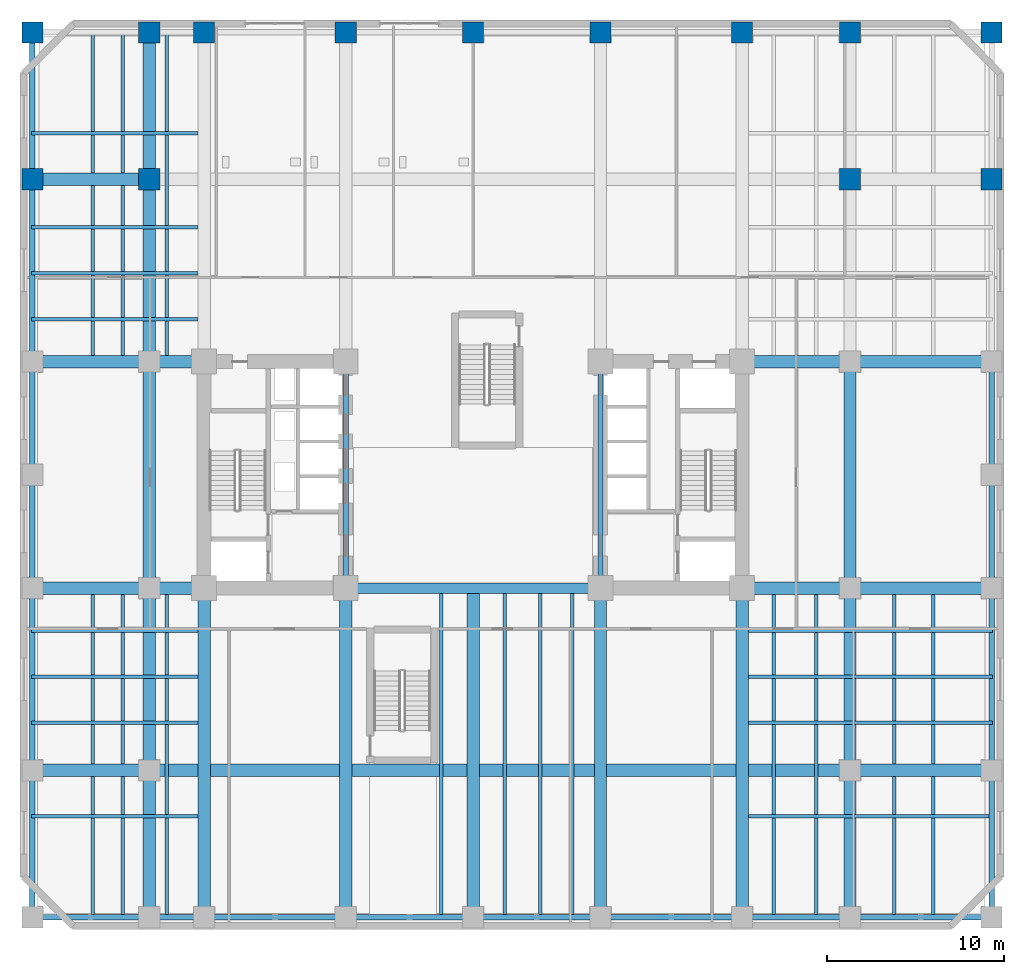
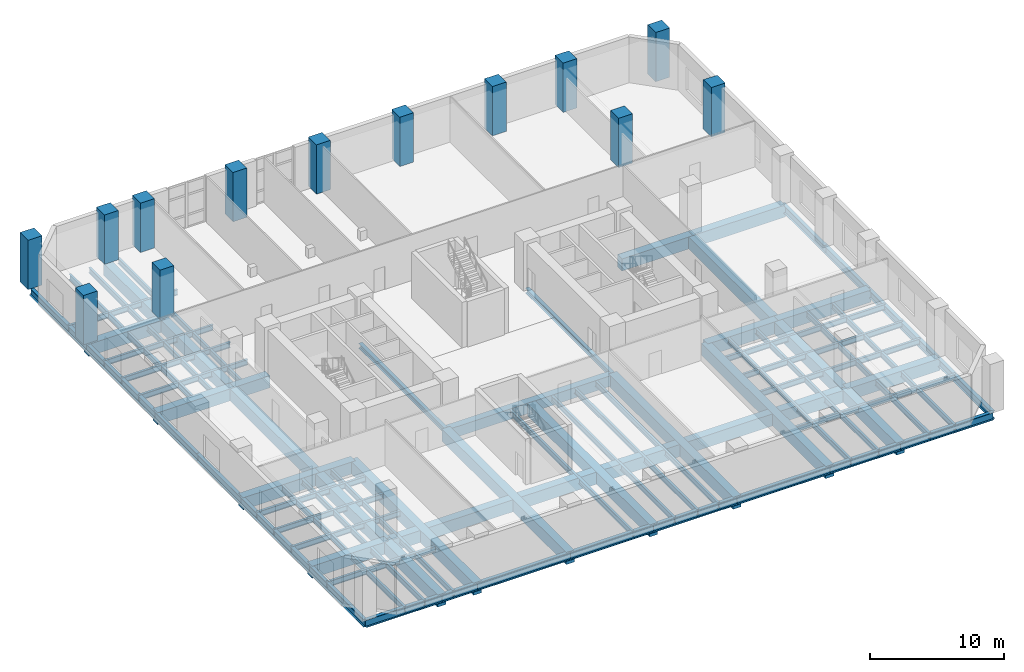
# One storey, part 3 of 15: 72 beams, 13 columns.
"""IFC4 building model written with IfcOpenShell, lengths in metres."""

from ifc_helpers import new_model, si_unit, direction, frame, origin, origin_2d, place, context, subcontext, project, spatial, rectangle, i_section, extrude, material, material_profile, profile_set, type_object, element, save


model = new_model("IFC4")

# Units and contexts
model_context = context("Model", 3, precision=1e-05, world=origin(), true_north=direction((0.0, 1.0)))
body_context = subcontext(model_context, "Body", "Model", "MODEL_VIEW")
ifc_project = project(units=[si_unit("LENGTHUNIT", "METRE"), si_unit("AREAUNIT", "SQUARE_METRE"), si_unit("VOLUMEUNIT", "CUBIC_METRE"), si_unit("PLANEANGLEUNIT", "RADIAN"), si_unit("MASSUNIT", "GRAM", prefix="KILO")], contexts=[model_context])

# Site, building, storey
site_placement = place(None, origin())
site = spatial("IfcSite", under=ifc_project, at=site_placement, CompositionType="ELEMENT")
building_placement = place(site_placement, origin())
building = spatial("IfcBuilding", under=site, at=building_placement, Name="Kranthara Brick Stack", CompositionType="ELEMENT")
storey_placement = place(building_placement, frame((0.0, 0.0, 9.89990234375)))
storey = spatial("IfcBuildingStorey", under=building, at=storey_placement, Name="L02", CompositionType="ELEMENT", Elevation=9.89990234375)

# Columns
ifc_material_1 = material(Name="Concrete C70/85", Category="concrete")
ifc_material_profile_1 = material_profile(ifc_material_1, rectangle(XDim=1.199951171875, YDim=1.199951171875, at=origin_2d()), Name="RC 1200x1200")
ifc_profile_set_1 = profile_set([ifc_material_profile_1], Name="Concrete C70/85")
column_type = type_object("IfcColumnType", Name="COL-RC-1200", PredefinedType="COLUMN", material=ifc_profile_set_1)
for number, where, z_axis, x_axis, name in (
    (1, (3.10009765625, 52.199951171875, 0.0), (0.0, 0.0, 1.0), (1.0, 0.0, 0.0), "L02 Column 10"),
    (2, (9.699951171875, 52.199951171875, 0.0), (0.0, 0.0, 1.0), (1.0, 0.0, 0.0), "L02 Column 12"),
    (3, (12.800048828125, 52.199951171875, 0.0), (0.0, 0.0, 1.0), (1.0, 0.0, 0.0), "L02 Column 14"),
    (4, (20.800048828125, 52.199951171875, 0.0), (0.0, 0.0, 1.0), (1.0, 0.0, 0.0), "L02 Column 16"),
    (5, (28.0, 52.199951171875, 0.0), (0.0, 0.0, 1.0), (1.0, 0.0, 0.0), "L02 Column 18"),
    (6, (35.199951171875, 52.199951171875, 0.0), (0.0, 0.0, 1.0), (1.0, 0.0, 0.0), "L02 Column 20"),
    (7, (43.199951171875, 52.199951171875, 0.0), (0.0, 0.0, 1.0), (1.0, 0.0, 0.0), "L02 Column 22"),
    (8, (49.300048828125, 52.199951171875, 0.0), (0.0, 0.0, 1.0), (1.0, 0.0, 0.0), "L02 Column 24"),
    (9, (57.300048828125, 52.199951171875, 0.0), (0.0, 0.0, 1.0), (1.0, 0.0, 0.0), "L02 Column 26"),
    (10, (3.10009765625, 43.89990234375, 0.0), (0.0, 0.0, 1.0), (1.0, 0.0, 0.0), "L02 Column 35"),
    (11, (57.300048828125, 43.89990234375, 0.0), (0.0, 0.0, 1.0), (1.0, 0.0, 0.0), "L02 Column 36"),
    (12, (9.699951171875, 43.89990234375, 0.0), (0.0, 0.0, 1.0), (1.0, 0.0, 0.0), "L02 Column 40"),
    (13, (49.300048828125, 43.89990234375, 0.0), (0.0, 0.0, 1.0), (1.0, 0.0, 0.0), "L02 Column 44"),
):
    element("IfcColumn", number, at=place(storey_placement, frame(where, z_axis=z_axis, x_axis=x_axis)), inside=storey, type_object=column_type, Name=name, PredefinedType="COLUMN", context=body_context, shape_type="SweptSolid", body=[
        extrude(rectangle(XDim=1.199951171875, YDim=1.199951171875, at=origin_2d()), origin(), (0.0, 0.0, 1.0), 4.5),
    ])

# Beams
ifc_material_2 = material(Name="Concrete C60/75", Category="concrete")
ifc_material_profile_2 = material_profile(ifc_material_2, rectangle(XDim=0.60009765625, YDim=0.949951171875, at=origin_2d()), Name="RC 600x950")
ifc_profile_set_2 = profile_set([ifc_material_profile_2], Name="Concrete C60/75")
beam_type_1 = type_object("IfcBeamType", Name="BM-CPL-RC950", PredefinedType="LINTEL", material=ifc_profile_set_2)
beam_1_placement = place(storey_placement, frame((20.800048828125, 20.800048828125, -0.794921875), z_axis=(1.0, 0.0, 0.0), x_axis=(0.0, 1.0, 0.0)))
element("IfcBeam", 14, at=beam_1_placement, inside=storey, type_object=beam_type_1, Name="L02 Core Coupling Beam 001", PredefinedType="LINTEL", context=body_context, shape_type="SweptSolid", body=[
    extrude(rectangle(XDim=0.60009765625, YDim=0.949951171875, at=origin_2d()), origin(), (0.0, 0.0, 1.0), 14.39990234375),
])
ifc_material_3 = material(Name="Steel S355", Category="steel")
ifc_material_profile_3 = material_profile(ifc_material_3, i_section(OverallWidth=0.199951171875, OverallDepth=0.5, WebThickness=0.01025390625, FlangeThickness=0.01611328125, at=origin_2d()), Name="IPE 500")
ifc_profile_set_3 = profile_set([ifc_material_profile_3], Name="Steel S355")
beam_type_2 = type_object("IfcBeamType", Name="BM-JST-IPE500", PredefinedType="JOIST", material=ifc_profile_set_3)
for number, where, z_axis, x_axis, name in (
    (15, (6.5, 2.14990234375, -0.56982421875), (0.0, 1.0, 0.0), (-1.0, 0.0, 0.0), "L02 South Wing Floor Joist 065"),
    (16, (6.5, 33.949951171875, -0.56982421875), (0.0, 1.0, 0.0), (-1.0, 0.0, 0.0), "L02 North Wing Floor Joist 066"),
    (17, (8.199951171875, 2.14990234375, -0.56982421875), (0.0, 1.0, 0.0), (-1.0, 0.0, 0.0), "L02 South Wing Floor Joist 067"),
    (18, (8.199951171875, 33.949951171875, -0.56982421875), (0.0, 1.0, 0.0), (-1.0, 0.0, 0.0), "L02 North Wing Floor Joist 068"),
    (19, (10.699951171875, 2.14990234375, -0.56982421875), (0.0, 1.0, 0.0), (-1.0, 0.0, 0.0), "L02 South Wing Floor Joist 069"),
    (20, (10.699951171875, 33.949951171875, -0.56982421875), (0.0, 1.0, 0.0), (-1.0, 0.0, 0.0), "L02 North Wing Floor Joist 070"),
):
    element("IfcBeam", number, at=place(storey_placement, frame(where, z_axis=z_axis, x_axis=x_axis)), inside=storey, type_object=beam_type_2, Name=name, PredefinedType="JOIST", context=body_context, shape_type="SweptSolid", body=[
        extrude(i_section(OverallWidth=0.199951171875, OverallDepth=0.5, WebThickness=0.01025390625, FlangeThickness=0.01611328125, at=origin_2d()), origin(), (0.0, 0.0, 1.0), 18.300048828125),
    ])
for number, where, z_axis, x_axis, name in (
    (21, (26.199951171875, 2.14990234375, -0.56982421875), (0.0, 1.0, 0.0), (-1.0, 0.0, 0.0), "L02 South Wing Floor Joist 071"),
    (22, (29.800048828125, 2.14990234375, -0.56982421875), (0.0, 1.0, 0.0), (-1.0, 0.0, 0.0), "L02 South Wing Floor Joist 072"),
    (23, (31.800048828125, 2.14990234375, -0.56982421875), (0.0, 1.0, 0.0), (-1.0, 0.0, 0.0), "L02 South Wing Floor Joist 073"),
    (24, (33.60009765625, 2.14990234375, -0.56982421875), (0.0, 1.0, 0.0), (-1.0, 0.0, 0.0), "L02 South Wing Floor Joist 074"),
):
    element("IfcBeam", number, at=place(storey_placement, frame(where, z_axis=z_axis, x_axis=x_axis)), inside=storey, type_object=beam_type_2, Name=name, PredefinedType="JOIST", context=body_context, shape_type="SweptSolid", body=[
        extrude(i_section(OverallWidth=0.199951171875, OverallDepth=0.5, WebThickness=0.01025390625, FlangeThickness=0.01611328125, at=origin_2d()), origin(), (0.0, 0.0, 1.0), 18.35009765625),
    ])
for number, where, z_axis, x_axis, name in (
    (25, (45.0, 2.14990234375, -0.56982421875), (0.0, 1.0, 0.0), (-1.0, 0.0, 0.0), "L02 South Wing Floor Joist 075"),
    (26, (47.39990234375, 2.14990234375, -0.56982421875), (0.0, 1.0, 0.0), (-1.0, 0.0, 0.0), "L02 South Wing Floor Joist 077"),
    (27, (51.800048828125, 2.14990234375, -0.56982421875), (0.0, 1.0, 0.0), (-1.0, 0.0, 0.0), "L02 South Wing Floor Joist 079"),
    (28, (54.0, 2.14990234375, -0.56982421875), (0.0, 1.0, 0.0), (-1.0, 0.0, 0.0), "L02 South Wing Floor Joist 081"),
):
    element("IfcBeam", number, at=place(storey_placement, frame(where, z_axis=z_axis, x_axis=x_axis)), inside=storey, type_object=beam_type_2, Name=name, PredefinedType="JOIST", context=body_context, shape_type="SweptSolid", body=[
        extrude(i_section(OverallWidth=0.199951171875, OverallDepth=0.5, WebThickness=0.01025390625, FlangeThickness=0.01611328125, at=origin_2d()), origin(), (0.0, 0.0, 1.0), 18.300048828125),
    ])
beam_2_placement = place(storey_placement, frame((3.050048828125, 7.89990234375, -0.56982421875), z_axis=(1.0, 0.0, 0.0), x_axis=(0.0, 1.0, 0.0)))
element("IfcBeam", 29, at=beam_2_placement, inside=storey, type_object=beam_type_2, Name="L02 West Wing Floor Joist 083", PredefinedType="JOIST", context=body_context, shape_type="SweptSolid", body=[
    extrude(i_section(OverallWidth=0.199951171875, OverallDepth=0.5, WebThickness=0.01025390625, FlangeThickness=0.01611328125, at=origin_2d()), origin(), (0.0, 0.0, 1.0), 9.39990234375),
])
beam_3_placement = place(storey_placement, frame((43.550048828125, 7.89990234375, -0.56982421875), z_axis=(1.0, 0.0, 0.0), x_axis=(0.0, 1.0, 0.0)))
element("IfcBeam", 30, at=beam_3_placement, inside=storey, type_object=beam_type_2, Name="L02 East Wing Floor Joist 084", PredefinedType="JOIST", context=body_context, shape_type="SweptSolid", body=[
    extrude(i_section(OverallWidth=0.199951171875, OverallDepth=0.5, WebThickness=0.01025390625, FlangeThickness=0.01611328125, at=origin_2d()), origin(), (0.0, 0.0, 1.0), 13.800048828125),
])
beam_4_placement = place(storey_placement, frame((3.050048828125, 13.199951171875, -0.56982421875), z_axis=(1.0, 0.0, 0.0), x_axis=(0.0, 1.0, 0.0)))
element("IfcBeam", 31, at=beam_4_placement, inside=storey, type_object=beam_type_2, Name="L02 West Wing Floor Joist 085", PredefinedType="JOIST", context=body_context, shape_type="SweptSolid", body=[
    extrude(i_section(OverallWidth=0.199951171875, OverallDepth=0.5, WebThickness=0.01025390625, FlangeThickness=0.01611328125, at=origin_2d()), origin(), (0.0, 0.0, 1.0), 9.39990234375),
])
beam_5_placement = place(storey_placement, frame((43.550048828125, 13.199951171875, -0.56982421875), z_axis=(1.0, 0.0, 0.0), x_axis=(0.0, 1.0, 0.0)))
element("IfcBeam", 32, at=beam_5_placement, inside=storey, type_object=beam_type_2, Name="L02 East Wing Floor Joist 086", PredefinedType="JOIST", context=body_context, shape_type="SweptSolid", body=[
    extrude(i_section(OverallWidth=0.199951171875, OverallDepth=0.5, WebThickness=0.01025390625, FlangeThickness=0.01611328125, at=origin_2d()), origin(), (0.0, 0.0, 1.0), 13.800048828125),
])
beam_6_placement = place(storey_placement, frame((3.050048828125, 15.800048828125, -0.56982421875), z_axis=(1.0, 0.0, 0.0), x_axis=(0.0, 1.0, 0.0)))
element("IfcBeam", 33, at=beam_6_placement, inside=storey, type_object=beam_type_2, Name="L02 West Wing Floor Joist 087", PredefinedType="JOIST", context=body_context, shape_type="SweptSolid", body=[
    extrude(i_section(OverallWidth=0.199951171875, OverallDepth=0.5, WebThickness=0.01025390625, FlangeThickness=0.01611328125, at=origin_2d()), origin(), (0.0, 0.0, 1.0), 9.39990234375),
])
beam_7_placement = place(storey_placement, frame((43.550048828125, 15.800048828125, -0.56982421875), z_axis=(1.0, 0.0, 0.0), x_axis=(0.0, 1.0, 0.0)))
element("IfcBeam", 34, at=beam_7_placement, inside=storey, type_object=beam_type_2, Name="L02 East Wing Floor Joist 088", PredefinedType="JOIST", context=body_context, shape_type="SweptSolid", body=[
    extrude(i_section(OverallWidth=0.199951171875, OverallDepth=0.5, WebThickness=0.01025390625, FlangeThickness=0.01611328125, at=origin_2d()), origin(), (0.0, 0.0, 1.0), 13.800048828125),
])
beam_8_placement = place(storey_placement, frame((3.050048828125, 18.39990234375, -0.56982421875), z_axis=(1.0, 0.0, 0.0), x_axis=(0.0, 1.0, 0.0)))
element("IfcBeam", 35, at=beam_8_placement, inside=storey, type_object=beam_type_2, Name="L02 West Wing Floor Joist 089", PredefinedType="JOIST", context=body_context, shape_type="SweptSolid", body=[
    extrude(i_section(OverallWidth=0.199951171875, OverallDepth=0.5, WebThickness=0.01025390625, FlangeThickness=0.01611328125, at=origin_2d()), origin(), (0.0, 0.0, 1.0), 9.39990234375),
])
beam_9_placement = place(storey_placement, frame((43.550048828125, 18.39990234375, -0.56982421875), z_axis=(1.0, 0.0, 0.0), x_axis=(0.0, 1.0, 0.0)))
element("IfcBeam", 36, at=beam_9_placement, inside=storey, type_object=beam_type_2, Name="L02 East Wing Floor Joist 090", PredefinedType="JOIST", context=body_context, shape_type="SweptSolid", body=[
    extrude(i_section(OverallWidth=0.199951171875, OverallDepth=0.5, WebThickness=0.01025390625, FlangeThickness=0.01611328125, at=origin_2d()), origin(), (0.0, 0.0, 1.0), 13.800048828125),
])
for number, where, z_axis, x_axis, name in (
    (37, (3.050048828125, 36.0, -0.56982421875), (1.0, 0.0, 0.0), (0.0, 1.0, 0.0), "L02 West Wing Floor Joist 091"),
    (38, (3.050048828125, 38.60009765625, -0.56982421875), (1.0, 0.0, 0.0), (0.0, 1.0, 0.0), "L02 West Wing Floor Joist 093"),
    (39, (3.050048828125, 41.199951171875, -0.56982421875), (1.0, 0.0, 0.0), (0.0, 1.0, 0.0), "L02 West Wing Floor Joist 095"),
    (40, (3.050048828125, 46.5, -0.56982421875), (1.0, 0.0, 0.0), (0.0, 1.0, 0.0), "L02 West Wing Floor Joist 097"),
):
    element("IfcBeam", number, at=place(storey_placement, frame(where, z_axis=z_axis, x_axis=x_axis)), inside=storey, type_object=beam_type_2, Name=name, PredefinedType="JOIST", context=body_context, shape_type="SweptSolid", body=[
        extrude(i_section(OverallWidth=0.199951171875, OverallDepth=0.5, WebThickness=0.01025390625, FlangeThickness=0.01611328125, at=origin_2d()), origin(), (0.0, 0.0, 1.0), 9.39990234375),
    ])
ifc_material_4 = material(Name="Post-tensioned concrete C45/55", Category="concrete")
ifc_material_profile_4 = material_profile(ifc_material_4, rectangle(XDim=0.699951171875, YDim=1.10009765625, at=origin_2d()), Name="PT 700x1100")
ifc_profile_set_4 = profile_set([ifc_material_profile_4], Name="Post-tensioned concrete C45/55")
beam_type_3 = type_object("IfcBeamType", Name="BM-POD-PT1100", PredefinedType="BEAM", material=ifc_profile_set_4)
beam_10_placement = place(storey_placement, frame((9.699951171875, 2.199951171875, -0.869873046875), z_axis=(0.0, 1.0, 0.0), x_axis=(-1.0, 0.0, 0.0)))
element("IfcBeam", 41, at=beam_10_placement, inside=storey, type_object=beam_type_3, Name="L02 Primary Grid Girder 032", PredefinedType="BEAM", context=body_context, shape_type="SweptSolid", body=[
    extrude(rectangle(XDim=0.699951171875, YDim=1.10009765625, at=origin_2d()), origin(), (0.0, 0.0, 1.0), 8.300048828125),
])
beam_11_placement = place(storey_placement, frame((9.699951171875, 10.5, -0.869873046875), z_axis=(0.0, 1.0, 0.0), x_axis=(-1.0, 0.0, 0.0)))
element("IfcBeam", 42, at=beam_11_placement, inside=storey, type_object=beam_type_3, Name="L02 Primary Grid Girder 033", PredefinedType="BEAM", context=body_context, shape_type="SweptSolid", body=[
    extrude(rectangle(XDim=0.699951171875, YDim=1.10009765625, at=origin_2d()), origin(), (0.0, 0.0, 1.0), 10.300048828125),
])
beam_12_placement = place(storey_placement, frame((9.699951171875, 20.800048828125, -0.869873046875), z_axis=(0.0, 1.0, 0.0), x_axis=(-1.0, 0.0, 0.0)))
element("IfcBeam", 43, at=beam_12_placement, inside=storey, type_object=beam_type_3, Name="L02 Primary Grid Girder 034", PredefinedType="BEAM", context=body_context, shape_type="SweptSolid", body=[
    extrude(rectangle(XDim=0.699951171875, YDim=1.10009765625, at=origin_2d()), origin(), (0.0, 0.0, 1.0), 12.800048828125),
])
beam_13_placement = place(storey_placement, frame((9.699951171875, 33.60009765625, -0.869873046875), z_axis=(0.0, 1.0, 0.0), x_axis=(-1.0, 0.0, 0.0)))
element("IfcBeam", 44, at=beam_13_placement, inside=storey, type_object=beam_type_3, Name="L02 Primary Grid Girder 035", PredefinedType="BEAM", context=body_context, shape_type="SweptSolid", body=[
    extrude(rectangle(XDim=0.699951171875, YDim=1.10009765625, at=origin_2d()), origin(), (0.0, 0.0, 1.0), 10.2998046875),
])
beam_14_placement = place(storey_placement, frame((9.699951171875, 43.89990234375, -0.869873046875), z_axis=(0.0, 1.0, 0.0), x_axis=(-1.0, 0.0, 0.0)))
element("IfcBeam", 45, at=beam_14_placement, inside=storey, type_object=beam_type_3, Name="L02 Primary Grid Girder 036", PredefinedType="BEAM", context=body_context, shape_type="SweptSolid", body=[
    extrude(rectangle(XDim=0.699951171875, YDim=1.10009765625, at=origin_2d()), origin(), (0.0, 0.0, 1.0), 8.300048828125),
])
for number, where, z_axis, x_axis, name in (
    (46, (12.800048828125, 2.199951171875, -0.869873046875), (0.0, 1.0, 0.0), (-1.0, 0.0, 0.0), "L02 Primary Grid Girder 037"),
    (47, (20.800048828125, 2.199951171875, -0.869873046875), (0.0, 1.0, 0.0), (-1.0, 0.0, 0.0), "L02 Primary Grid Girder 039"),
):
    element("IfcBeam", number, at=place(storey_placement, frame(where, z_axis=z_axis, x_axis=x_axis)), inside=storey, type_object=beam_type_3, Name=name, PredefinedType="BEAM", context=body_context, shape_type="SweptSolid", body=[
        extrude(rectangle(XDim=0.699951171875, YDim=1.10009765625, at=origin_2d()), origin(), (0.0, 0.0, 1.0), 18.60009765625),
    ])
beam_15_placement = place(storey_placement, frame((28.0, 2.199951171875, -0.869873046875), z_axis=(0.0, 1.0, 0.0), x_axis=(-1.0, 0.0, 0.0)))
element("IfcBeam", 48, at=beam_15_placement, inside=storey, type_object=beam_type_3, Name="L02 Primary Grid Girder 041", PredefinedType="BEAM", context=body_context, shape_type="SweptSolid", body=[
    extrude(rectangle(XDim=0.699951171875, YDim=1.10009765625, at=origin_2d()), origin(), (0.0, 0.0, 1.0), 18.300048828125),
])
for number, where, z_axis, x_axis, name in (
    (49, (35.199951171875, 2.199951171875, -0.869873046875), (0.0, 1.0, 0.0), (-1.0, 0.0, 0.0), "L02 Primary Grid Girder 042"),
    (50, (43.199951171875, 2.199951171875, -0.869873046875), (0.0, 1.0, 0.0), (-1.0, 0.0, 0.0), "L02 Primary Grid Girder 044"),
):
    element("IfcBeam", number, at=place(storey_placement, frame(where, z_axis=z_axis, x_axis=x_axis)), inside=storey, type_object=beam_type_3, Name=name, PredefinedType="BEAM", context=body_context, shape_type="SweptSolid", body=[
        extrude(rectangle(XDim=0.699951171875, YDim=1.10009765625, at=origin_2d()), origin(), (0.0, 0.0, 1.0), 18.60009765625),
    ])
beam_16_placement = place(storey_placement, frame((49.300048828125, 2.199951171875, -0.869873046875), z_axis=(0.0, 1.0, 0.0), x_axis=(-1.0, 0.0, 0.0)))
element("IfcBeam", 51, at=beam_16_placement, inside=storey, type_object=beam_type_3, Name="L02 Primary Grid Girder 046", PredefinedType="BEAM", context=body_context, shape_type="SweptSolid", body=[
    extrude(rectangle(XDim=0.699951171875, YDim=1.10009765625, at=origin_2d()), origin(), (0.0, 0.0, 1.0), 8.300048828125),
])
beam_17_placement = place(storey_placement, frame((49.300048828125, 10.5, -0.869873046875), z_axis=(0.0, 1.0, 0.0), x_axis=(-1.0, 0.0, 0.0)))
element("IfcBeam", 52, at=beam_17_placement, inside=storey, type_object=beam_type_3, Name="L02 Primary Grid Girder 047", PredefinedType="BEAM", context=body_context, shape_type="SweptSolid", body=[
    extrude(rectangle(XDim=0.699951171875, YDim=1.10009765625, at=origin_2d()), origin(), (0.0, 0.0, 1.0), 10.300048828125),
])
beam_18_placement = place(storey_placement, frame((49.300048828125, 20.800048828125, -0.869873046875), z_axis=(0.0, 1.0, 0.0), x_axis=(-1.0, 0.0, 0.0)))
element("IfcBeam", 53, at=beam_18_placement, inside=storey, type_object=beam_type_3, Name="L02 Primary Grid Girder 048", PredefinedType="BEAM", context=body_context, shape_type="SweptSolid", body=[
    extrude(rectangle(XDim=0.699951171875, YDim=1.10009765625, at=origin_2d()), origin(), (0.0, 0.0, 1.0), 12.800048828125),
])
beam_19_placement = place(storey_placement, frame((3.10009765625, 10.5, -0.869873046875), z_axis=(1.0, 0.0, 0.0), x_axis=(0.0, 1.0, 0.0)))
element("IfcBeam", 54, at=beam_19_placement, inside=storey, type_object=beam_type_3, Name="L02 Primary Grid Girder 051", PredefinedType="BEAM", context=body_context, shape_type="SweptSolid", body=[
    extrude(rectangle(XDim=0.699951171875, YDim=1.10009765625, at=origin_2d()), origin(), (0.0, 0.0, 1.0), 6.599853515625),
])
beam_20_placement = place(storey_placement, frame((9.699951171875, 10.5, -0.869873046875), z_axis=(1.0, 0.0, 0.0), x_axis=(0.0, 1.0, 0.0)))
element("IfcBeam", 55, at=beam_20_placement, inside=storey, type_object=beam_type_3, Name="L02 Primary Grid Girder 052", PredefinedType="BEAM", context=body_context, shape_type="SweptSolid", body=[
    extrude(rectangle(XDim=0.699951171875, YDim=1.10009765625, at=origin_2d()), origin(), (0.0, 0.0, 1.0), 39.60009765625),
])
beam_21_placement = place(storey_placement, frame((49.300048828125, 10.5, -0.869873046875), z_axis=(1.0, 0.0, 0.0), x_axis=(0.0, 1.0, 0.0)))
element("IfcBeam", 56, at=beam_21_placement, inside=storey, type_object=beam_type_3, Name="L02 Primary Grid Girder 053", PredefinedType="BEAM", context=body_context, shape_type="SweptSolid", body=[
    extrude(rectangle(XDim=0.699951171875, YDim=1.10009765625, at=origin_2d()), origin(), (0.0, 0.0, 1.0), 8.0),
])
beam_22_placement = place(storey_placement, frame((3.10009765625, 20.800048828125, -0.869873046875), z_axis=(1.0, 0.0, 0.0), x_axis=(0.0, 1.0, 0.0)))
element("IfcBeam", 57, at=beam_22_placement, inside=storey, type_object=beam_type_3, Name="L02 Primary Grid Girder 054", PredefinedType="BEAM", context=body_context, shape_type="SweptSolid", body=[
    extrude(rectangle(XDim=0.699951171875, YDim=1.10009765625, at=origin_2d()), origin(), (0.0, 0.0, 1.0), 6.599853515625),
])
beam_23_placement = place(storey_placement, frame((9.699951171875, 20.800048828125, -0.869873046875), z_axis=(1.0, 0.0, 0.0), x_axis=(0.0, 1.0, 0.0)))
element("IfcBeam", 58, at=beam_23_placement, inside=storey, type_object=beam_type_3, Name="L02 Primary Grid Girder 055", PredefinedType="BEAM", context=body_context, shape_type="SweptSolid", body=[
    extrude(rectangle(XDim=0.699951171875, YDim=1.10009765625, at=origin_2d()), origin(), (0.0, 0.0, 1.0), 3.10009765625),
])
beam_24_placement = place(storey_placement, frame((43.199951171875, 20.800048828125, -0.869873046875), z_axis=(1.0, 0.0, 0.0), x_axis=(0.0, 1.0, 0.0)))
element("IfcBeam", 59, at=beam_24_placement, inside=storey, type_object=beam_type_3, Name="L02 Primary Grid Girder 056", PredefinedType="BEAM", context=body_context, shape_type="SweptSolid", body=[
    extrude(rectangle(XDim=0.699951171875, YDim=1.10009765625, at=origin_2d()), origin(), (0.0, 0.0, 1.0), 6.10009765625),
])
beam_25_placement = place(storey_placement, frame((49.300048828125, 20.800048828125, -0.869873046875), z_axis=(1.0, 0.0, 0.0), x_axis=(0.0, 1.0, 0.0)))
element("IfcBeam", 60, at=beam_25_placement, inside=storey, type_object=beam_type_3, Name="L02 Primary Grid Girder 057", PredefinedType="BEAM", context=body_context, shape_type="SweptSolid", body=[
    extrude(rectangle(XDim=0.699951171875, YDim=1.10009765625, at=origin_2d()), origin(), (0.0, 0.0, 1.0), 8.0),
])
beam_26_placement = place(storey_placement, frame((3.10009765625, 33.60009765625, -0.869873046875), z_axis=(1.0, 0.0, 0.0), x_axis=(0.0, 1.0, 0.0)))
element("IfcBeam", 61, at=beam_26_placement, inside=storey, type_object=beam_type_3, Name="L02 Primary Grid Girder 058", PredefinedType="BEAM", context=body_context, shape_type="SweptSolid", body=[
    extrude(rectangle(XDim=0.699951171875, YDim=1.10009765625, at=origin_2d()), origin(), (0.0, 0.0, 1.0), 6.599853515625),
])
beam_27_placement = place(storey_placement, frame((9.699951171875, 33.60009765625, -0.869873046875), z_axis=(1.0, 0.0, 0.0), x_axis=(0.0, 1.0, 0.0)))
element("IfcBeam", 62, at=beam_27_placement, inside=storey, type_object=beam_type_3, Name="L02 Primary Grid Girder 059", PredefinedType="BEAM", context=body_context, shape_type="SweptSolid", body=[
    extrude(rectangle(XDim=0.699951171875, YDim=1.10009765625, at=origin_2d()), origin(), (0.0, 0.0, 1.0), 3.10009765625),
])
beam_28_placement = place(storey_placement, frame((43.199951171875, 33.60009765625, -0.869873046875), z_axis=(1.0, 0.0, 0.0), x_axis=(0.0, 1.0, 0.0)))
element("IfcBeam", 63, at=beam_28_placement, inside=storey, type_object=beam_type_3, Name="L02 Primary Grid Girder 060", PredefinedType="BEAM", context=body_context, shape_type="SweptSolid", body=[
    extrude(rectangle(XDim=0.699951171875, YDim=1.10009765625, at=origin_2d()), origin(), (0.0, 0.0, 1.0), 6.10009765625),
])
beam_29_placement = place(storey_placement, frame((49.300048828125, 33.60009765625, -0.869873046875), z_axis=(1.0, 0.0, 0.0), x_axis=(0.0, 1.0, 0.0)))
element("IfcBeam", 64, at=beam_29_placement, inside=storey, type_object=beam_type_3, Name="L02 Primary Grid Girder 061", PredefinedType="BEAM", context=body_context, shape_type="SweptSolid", body=[
    extrude(rectangle(XDim=0.699951171875, YDim=1.10009765625, at=origin_2d()), origin(), (0.0, 0.0, 1.0), 8.0),
])
beam_30_placement = place(storey_placement, frame((3.10009765625, 43.89990234375, -0.869873046875), z_axis=(1.0, 0.0, 0.0), x_axis=(0.0, 1.0, 0.0)))
element("IfcBeam", 65, at=beam_30_placement, inside=storey, type_object=beam_type_3, Name="L02 Primary Grid Girder 062", PredefinedType="BEAM", context=body_context, shape_type="SweptSolid", body=[
    extrude(rectangle(XDim=0.699951171875, YDim=1.10009765625, at=origin_2d()), origin(), (0.0, 0.0, 1.0), 6.599853515625),
])
ifc_material_5 = material(Name="Steel S355", Category="steel")
ifc_material_profile_5 = material_profile(ifc_material_5, i_section(OverallWidth=0.300048828125, OverallDepth=0.449951171875, WebThickness=0.013916015625, FlangeThickness=0.02587890625, at=origin_2d()), Name="HEB 450")
ifc_profile_set_5 = profile_set([ifc_material_profile_5], Name="Steel S355")
beam_type_4 = type_object("IfcBeamType", Name="BM-STL-HEB450", PredefinedType="SPANDREL", material=ifc_profile_set_5)
for number, where, z_axis, x_axis, name in (
    (66, (20.800048828125, 20.800048828125, -0.544921875), (0.0, 1.0, 0.0), (-1.0, 0.0, 0.0), "L02 Core Edge Tie Beam 002"),
    (67, (35.199951171875, 20.800048828125, -0.544921875), (0.0, 1.0, 0.0), (-1.0, 0.0, 0.0), "L02 Core Edge Tie Beam 003"),
):
    element("IfcBeam", number, at=place(storey_placement, frame(where, z_axis=z_axis, x_axis=x_axis)), inside=storey, type_object=beam_type_4, Name=name, PredefinedType="SPANDREL", context=body_context, shape_type="SweptSolid", body=[
        extrude(i_section(OverallWidth=0.300048828125, OverallDepth=0.449951171875, WebThickness=0.013916015625, FlangeThickness=0.02587890625, at=origin_2d()), origin(), (0.0, 0.0, 1.0), 12.800048828125),
    ])
ifc_material_6 = material(Name="Steel S355", Category="steel")
ifc_material_profile_6 = material_profile(ifc_material_6, i_section(OverallWidth=0.300048828125, OverallDepth=0.699951171875, WebThickness=0.01708984375, FlangeThickness=0.031982421875, at=origin_2d()), Name="HEB 700")
ifc_profile_set_6 = profile_set([ifc_material_profile_6], Name="Steel S355")
beam_type_5 = type_object("IfcBeamType", Name="BM-STL-HEB700", PredefinedType="BEAM", material=ifc_profile_set_6)
beam_31_placement = place(storey_placement, frame((3.10009765625, 2.199951171875, -0.669921875), z_axis=(1.0, 0.0, 0.0), x_axis=(0.0, 1.0, 0.0)))
element("IfcBeam", 68, at=beam_31_placement, inside=storey, type_object=beam_type_5, Name="L02 Perimeter Spandrel Beam 004", PredefinedType="BEAM", context=body_context, shape_type="SweptSolid", body=[
    extrude(i_section(OverallWidth=0.300048828125, OverallDepth=0.699951171875, WebThickness=0.01708984375, FlangeThickness=0.031982421875, at=origin_2d()), origin(), (0.0, 0.0, 1.0), 6.599853515625),
])
beam_32_placement = place(storey_placement, frame((9.699951171875, 2.199951171875, -0.669921875), z_axis=(1.0, 0.0, 0.0), x_axis=(0.0, 1.0, 0.0)))
element("IfcBeam", 69, at=beam_32_placement, inside=storey, type_object=beam_type_5, Name="L02 Perimeter Spandrel Beam 005", PredefinedType="BEAM", context=body_context, shape_type="SweptSolid", body=[
    extrude(i_section(OverallWidth=0.300048828125, OverallDepth=0.699951171875, WebThickness=0.01708984375, FlangeThickness=0.031982421875, at=origin_2d()), origin(), (0.0, 0.0, 1.0), 3.10009765625),
])
beam_33_placement = place(storey_placement, frame((12.800048828125, 2.199951171875, -0.669921875), z_axis=(1.0, 0.0, 0.0), x_axis=(0.0, 1.0, 0.0)))
element("IfcBeam", 70, at=beam_33_placement, inside=storey, type_object=beam_type_5, Name="L02 Perimeter Spandrel Beam 006", PredefinedType="BEAM", context=body_context, shape_type="SweptSolid", body=[
    extrude(i_section(OverallWidth=0.300048828125, OverallDepth=0.699951171875, WebThickness=0.01708984375, FlangeThickness=0.031982421875, at=origin_2d()), origin(), (0.0, 0.0, 1.0), 8.0),
])
for number, where, z_axis, x_axis, name in (
    (71, (20.800048828125, 2.199951171875, -0.669921875), (1.0, 0.0, 0.0), (0.0, 1.0, 0.0), "L02 Perimeter Spandrel Beam 007"),
    (72, (28.0, 2.199951171875, -0.669921875), (1.0, 0.0, 0.0), (0.0, 1.0, 0.0), "L02 Perimeter Spandrel Beam 008"),
):
    element("IfcBeam", number, at=place(storey_placement, frame(where, z_axis=z_axis, x_axis=x_axis)), inside=storey, type_object=beam_type_5, Name=name, PredefinedType="BEAM", context=body_context, shape_type="SweptSolid", body=[
        extrude(i_section(OverallWidth=0.300048828125, OverallDepth=0.699951171875, WebThickness=0.01708984375, FlangeThickness=0.031982421875, at=origin_2d()), origin(), (0.0, 0.0, 1.0), 7.199951171875),
    ])
beam_34_placement = place(storey_placement, frame((35.199951171875, 2.199951171875, -0.669921875), z_axis=(1.0, 0.0, 0.0), x_axis=(0.0, 1.0, 0.0)))
element("IfcBeam", 73, at=beam_34_placement, inside=storey, type_object=beam_type_5, Name="L02 Perimeter Spandrel Beam 009", PredefinedType="BEAM", context=body_context, shape_type="SweptSolid", body=[
    extrude(i_section(OverallWidth=0.300048828125, OverallDepth=0.699951171875, WebThickness=0.01708984375, FlangeThickness=0.031982421875, at=origin_2d()), origin(), (0.0, 0.0, 1.0), 8.0),
])
beam_35_placement = place(storey_placement, frame((43.199951171875, 2.199951171875, -0.669921875), z_axis=(1.0, 0.0, 0.0), x_axis=(0.0, 1.0, 0.0)))
element("IfcBeam", 74, at=beam_35_placement, inside=storey, type_object=beam_type_5, Name="L02 Perimeter Spandrel Beam 010", PredefinedType="BEAM", context=body_context, shape_type="SweptSolid", body=[
    extrude(i_section(OverallWidth=0.300048828125, OverallDepth=0.699951171875, WebThickness=0.01708984375, FlangeThickness=0.031982421875, at=origin_2d()), origin(), (0.0, 0.0, 1.0), 6.10009765625),
])
beam_36_placement = place(storey_placement, frame((49.300048828125, 2.199951171875, -0.669921875), z_axis=(1.0, 0.0, 0.0), x_axis=(0.0, 1.0, 0.0)))
element("IfcBeam", 75, at=beam_36_placement, inside=storey, type_object=beam_type_5, Name="L02 Perimeter Spandrel Beam 011", PredefinedType="BEAM", context=body_context, shape_type="SweptSolid", body=[
    extrude(i_section(OverallWidth=0.300048828125, OverallDepth=0.699951171875, WebThickness=0.01708984375, FlangeThickness=0.031982421875, at=origin_2d()), origin(), (0.0, 0.0, 1.0), 8.0),
])
beam_37_placement = place(storey_placement, frame((3.10009765625, 2.199951171875, -0.669921875), z_axis=(0.0, 1.0, 0.0), x_axis=(-1.0, 0.0, 0.0)))
element("IfcBeam", 76, at=beam_37_placement, inside=storey, type_object=beam_type_5, Name="L02 Perimeter Spandrel Beam 020", PredefinedType="BEAM", context=body_context, shape_type="SweptSolid", body=[
    extrude(i_section(OverallWidth=0.300048828125, OverallDepth=0.699951171875, WebThickness=0.01708984375, FlangeThickness=0.031982421875, at=origin_2d()), origin(), (0.0, 0.0, 1.0), 8.300048828125),
])
beam_38_placement = place(storey_placement, frame((3.10009765625, 10.5, -0.669921875), z_axis=(0.0, 1.0, 0.0), x_axis=(-1.0, 0.0, 0.0)))
element("IfcBeam", 77, at=beam_38_placement, inside=storey, type_object=beam_type_5, Name="L02 Perimeter Spandrel Beam 021", PredefinedType="BEAM", context=body_context, shape_type="SweptSolid", body=[
    extrude(i_section(OverallWidth=0.300048828125, OverallDepth=0.699951171875, WebThickness=0.01708984375, FlangeThickness=0.031982421875, at=origin_2d()), origin(), (0.0, 0.0, 1.0), 10.300048828125),
])
beam_39_placement = place(storey_placement, frame((3.10009765625, 20.800048828125, -0.669921875), z_axis=(0.0, 1.0, 0.0), x_axis=(-1.0, 0.0, 0.0)))
element("IfcBeam", 78, at=beam_39_placement, inside=storey, type_object=beam_type_5, Name="L02 Perimeter Spandrel Beam 022", PredefinedType="BEAM", context=body_context, shape_type="SweptSolid", body=[
    extrude(i_section(OverallWidth=0.300048828125, OverallDepth=0.699951171875, WebThickness=0.01708984375, FlangeThickness=0.031982421875, at=origin_2d()), origin(), (0.0, 0.0, 1.0), 6.39990234375),
])
beam_40_placement = place(storey_placement, frame((3.10009765625, 27.199951171875, -0.669921875), z_axis=(0.0, 1.0, 0.0), x_axis=(-1.0, 0.0, 0.0)))
element("IfcBeam", 79, at=beam_40_placement, inside=storey, type_object=beam_type_5, Name="L02 Perimeter Spandrel Beam 023", PredefinedType="BEAM", context=body_context, shape_type="SweptSolid", body=[
    extrude(i_section(OverallWidth=0.300048828125, OverallDepth=0.699951171875, WebThickness=0.01708984375, FlangeThickness=0.031982421875, at=origin_2d()), origin(), (0.0, 0.0, 1.0), 6.400146484375),
])
beam_41_placement = place(storey_placement, frame((3.10009765625, 33.60009765625, -0.669921875), z_axis=(0.0, 1.0, 0.0), x_axis=(-1.0, 0.0, 0.0)))
element("IfcBeam", 80, at=beam_41_placement, inside=storey, type_object=beam_type_5, Name="L02 Perimeter Spandrel Beam 024", PredefinedType="BEAM", context=body_context, shape_type="SweptSolid", body=[
    extrude(i_section(OverallWidth=0.300048828125, OverallDepth=0.699951171875, WebThickness=0.01708984375, FlangeThickness=0.031982421875, at=origin_2d()), origin(), (0.0, 0.0, 1.0), 10.2998046875),
])
for number, where, z_axis, x_axis, name in (
    (81, (3.10009765625, 43.89990234375, -0.669921875), (0.0, 1.0, 0.0), (-1.0, 0.0, 0.0), "L02 Perimeter Spandrel Beam 025"),
    (82, (57.300048828125, 2.199951171875, -0.669921875), (0.0, 1.0, 0.0), (-1.0, 0.0, 0.0), "L02 Perimeter Spandrel Beam 026"),
):
    element("IfcBeam", number, at=place(storey_placement, frame(where, z_axis=z_axis, x_axis=x_axis)), inside=storey, type_object=beam_type_5, Name=name, PredefinedType="BEAM", context=body_context, shape_type="SweptSolid", body=[
        extrude(i_section(OverallWidth=0.300048828125, OverallDepth=0.699951171875, WebThickness=0.01708984375, FlangeThickness=0.031982421875, at=origin_2d()), origin(), (0.0, 0.0, 1.0), 8.300048828125),
    ])
beam_42_placement = place(storey_placement, frame((57.300048828125, 10.5, -0.669921875), z_axis=(0.0, 1.0, 0.0), x_axis=(-1.0, 0.0, 0.0)))
element("IfcBeam", 83, at=beam_42_placement, inside=storey, type_object=beam_type_5, Name="L02 Perimeter Spandrel Beam 027", PredefinedType="BEAM", context=body_context, shape_type="SweptSolid", body=[
    extrude(i_section(OverallWidth=0.300048828125, OverallDepth=0.699951171875, WebThickness=0.01708984375, FlangeThickness=0.031982421875, at=origin_2d()), origin(), (0.0, 0.0, 1.0), 10.300048828125),
])
beam_43_placement = place(storey_placement, frame((57.300048828125, 20.800048828125, -0.669921875), z_axis=(0.0, 1.0, 0.0), x_axis=(-1.0, 0.0, 0.0)))
element("IfcBeam", 84, at=beam_43_placement, inside=storey, type_object=beam_type_5, Name="L02 Perimeter Spandrel Beam 028", PredefinedType="BEAM", context=body_context, shape_type="SweptSolid", body=[
    extrude(i_section(OverallWidth=0.300048828125, OverallDepth=0.699951171875, WebThickness=0.01708984375, FlangeThickness=0.031982421875, at=origin_2d()), origin(), (0.0, 0.0, 1.0), 6.39990234375),
])
beam_44_placement = place(storey_placement, frame((57.300048828125, 27.199951171875, -0.669921875), z_axis=(0.0, 1.0, 0.0), x_axis=(-1.0, 0.0, 0.0)))
element("IfcBeam", 85, at=beam_44_placement, inside=storey, type_object=beam_type_5, Name="L02 Perimeter Spandrel Beam 029", PredefinedType="BEAM", context=body_context, shape_type="SweptSolid", body=[
    extrude(i_section(OverallWidth=0.300048828125, OverallDepth=0.699951171875, WebThickness=0.01708984375, FlangeThickness=0.031982421875, at=origin_2d()), origin(), (0.0, 0.0, 1.0), 6.400146484375),
])

save(model, "model.ifc")
